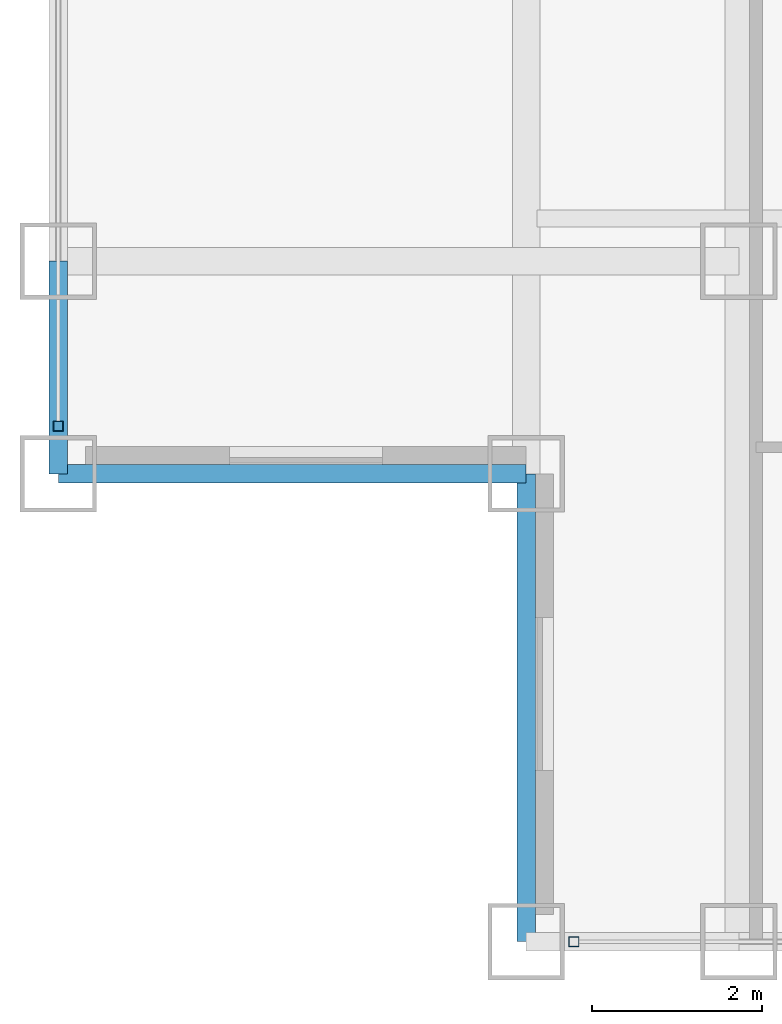
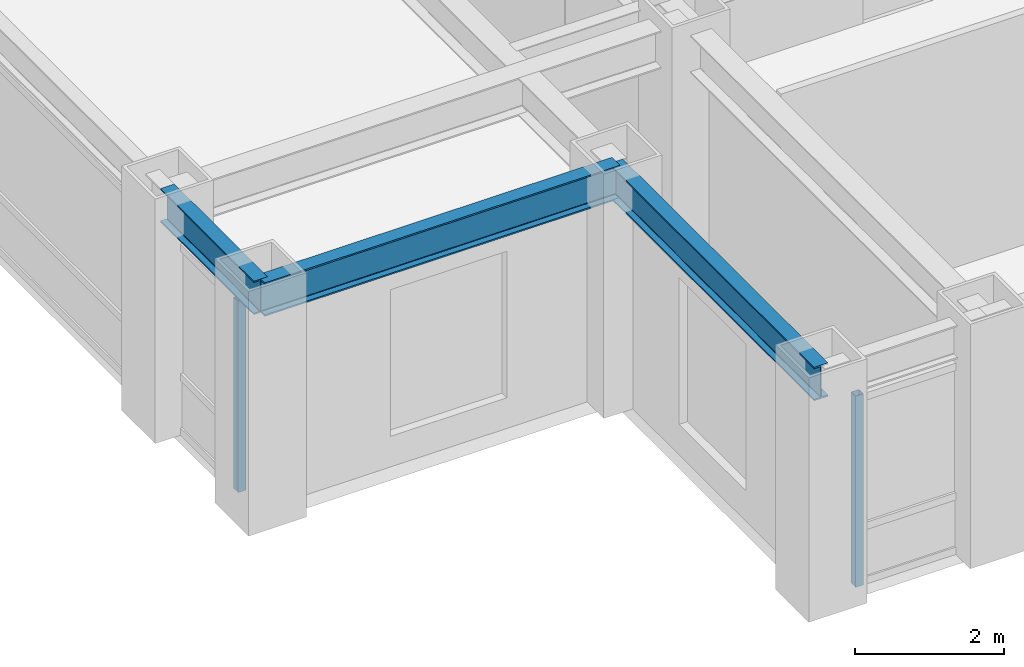
# One storey, part 2 of 22: 3 beams, 2 members, 2 elements without a shape of their own.
"""IFC4 building model written with IfcOpenShell, lengths in metres."""

import ifcopenshell
import ifcopenshell.guid

model = None  # the IFC model being written
_history = None  # IfcOwnerHistory: only IFC2X3 demands one
_inside = {}  # id of a spatial element -> (the spatial element, [elements in it])
_under = {}  # id of a project, library or spatial element -> (it, [spatial elements below it])
_declared = {}  # id of a project -> (the project, [libraries it declares])
_typed = {}  # id of a type object -> (the type object, [elements of that type])
_made_of = {}  # id of a material, layer set ... -> (it, [elements and type objects made of it])


def new_model(schema):
    """Start an empty IFC model of exactly this schema.

    Asked for "IFC4X3", IfcOpenShell would pick the latest addendum, in which some entities
    have other attributes; the version numbers below select the first issue.
    IFC2X3 requires an IfcOwnerHistory on every rooted entity: one is made here for all.
    """
    global model, _history
    if schema == "IFC4X3":
        model = ifcopenshell.file(schema_version=(4, 3, 0, 0))
    else:
        model = ifcopenshell.file(schema=schema)
    _inside.clear()
    _under.clear()
    _declared.clear()
    _typed.clear()
    _made_of.clear()
    _history = None
    if model.schema == "IFC2X3":
        org = make("IfcOrganization", Name="unknown")
        user = make(
            "IfcPersonAndOrganization",
            ThePerson=make("IfcPerson", FamilyName="unknown"),
            TheOrganization=org,
        )
        app = make(
            "IfcApplication",
            ApplicationDeveloper=org,
            Version="unknown",
            ApplicationFullName="unknown",
            ApplicationIdentifier="unknown",
        )
        _history = make(
            "IfcOwnerHistory",
            OwningUser=user,
            OwningApplication=app,
            ChangeAction="ADDED",
            CreationDate=0,
        )
    return model


def make(cls, **values):
    """One entity of the class cls with the attributes given. An attribute that is None is left unset."""
    return model.create_entity(
        cls, **{name: value for name, value in values.items() if value is not None}
    )


def rooted(cls, **values):
    """An entity with a GlobalId (a new one), such as an element, a storey or a relation."""
    return make(cls, GlobalId=ifcopenshell.guid.new(), OwnerHistory=_history, **values)


def si_unit(unit_type, name, prefix=None):
    """IfcSIUnit, for example si_unit("LENGTHUNIT", "METRE", prefix="MILLI")."""
    return make("IfcSIUnit", UnitType=unit_type, Prefix=prefix, Name=name)


def assignment(units):
    """IfcUnitAssignment: the units of a project."""
    return None if units is None else make("IfcUnitAssignment", Units=units)


def point(xyz):
    """IfcCartesianPoint."""
    return None if xyz is None else make("IfcCartesianPoint", Coordinates=xyz)


def direction(xyz):
    """IfcDirection."""
    return None if xyz is None else make("IfcDirection", DirectionRatios=xyz)


def frame(location, z_axis=None, x_axis=None):
    """IfcAxis2Placement3D, a coordinate frame: its origin and axes. An axis left out is left unset."""
    return make(
        "IfcAxis2Placement3D",
        Location=point(location),
        Axis=direction(z_axis),
        RefDirection=direction(x_axis),
    )


def frame_2d(location, x_axis=None):
    """IfcAxis2Placement2D, a coordinate frame in the plane: its origin and x axis."""
    return make(
        "IfcAxis2Placement2D", Location=point(location), RefDirection=direction(x_axis)
    )


def origin():
    """The frame at (0, 0, 0) with its axes left unset."""
    return frame((0.0, 0.0, 0.0))


def origin_2d():
    """The frame at (0, 0) in the plane with its x axis left unset."""
    return frame_2d((0.0, 0.0))


def place(relative_to, where):
    """IfcLocalPlacement: puts the frame where relative to a parent placement (None: the world)."""
    return make(
        "IfcLocalPlacement", PlacementRelTo=relative_to, RelativePlacement=where
    )


def context(
    kind, dimensions, precision=None, world=None, true_north=None, identifier=None
):
    """IfcGeometricRepresentationContext, for example the 3D "Model" context."""
    return make(
        "IfcGeometricRepresentationContext",
        ContextIdentifier=identifier,
        ContextType=kind,
        CoordinateSpaceDimension=dimensions,
        Precision=precision,
        WorldCoordinateSystem=world,
        TrueNorth=true_north,
    )


def subcontext(parent, identifier, kind, view, scale=None):
    """IfcGeometricRepresentationSubContext, for example "Body" below "Model"."""
    return make(
        "IfcGeometricRepresentationSubContext",
        ContextIdentifier=identifier,
        ContextType=kind,
        ParentContext=parent,
        TargetScale=scale,
        TargetView=view,
    )


def project(units=None, contexts=None):
    """IfcProject with its units and contexts."""
    return rooted(
        "IfcProject",
        Name="project",
        RepresentationContexts=contexts,
        UnitsInContext=assignment(units),
    )


def spatial(cls, under=None, at=None, **own):
    """A site, building, storey or space (cls), placed at a placement, below another one or the project."""
    s = rooted(cls, ObjectPlacement=at, **own)
    if under is not None:
        _under.setdefault(under.id(), (under, []))[1].append(s)
    return s


def profile(cls, at=None, kind="AREA", **sizes):
    """A parametric profile (cls). Its sizes go by their IFC names, for example OverallWidth=200.0."""
    return make(cls, ProfileType=kind, Position=at, **sizes)


def hollow_rectangle(**sizes):
    """IfcRectangleHollowProfileDef."""
    return profile("IfcRectangleHollowProfileDef", **sizes)


def i_section(**sizes):
    """IfcIShapeProfileDef."""
    return profile("IfcIShapeProfileDef", **sizes)


def extrude(swept, where, along, depth):
    """IfcExtrudedAreaSolid: the profile swept, set in the frame where, extruded along a direction by depth."""
    return make(
        "IfcExtrudedAreaSolid",
        SweptArea=swept,
        Position=where,
        ExtrudedDirection=direction(along),
        Depth=depth,
    )


def shape(context_of_items, identifier, shape_type, items):
    """IfcShapeRepresentation: the items that make up one representation, for example the "Body"."""
    return make(
        "IfcShapeRepresentation",
        ContextOfItems=context_of_items,
        RepresentationIdentifier=identifier,
        RepresentationType=shape_type,
        Items=items,
    )


def source(mapping_origin, context_of_items, identifier, shape_type, items):
    """IfcRepresentationMap: a shape defined once, which mapped items show again and again."""
    return make(
        "IfcRepresentationMap",
        MappingOrigin=mapping_origin,
        MappedRepresentation=shape(context_of_items, identifier, shape_type, items),
    )


def transform(
    local_origin,
    x_axis=None,
    y_axis=None,
    z_axis=None,
    scale=None,
    scale2=None,
    scale3=None,
    uniform=True,
):
    """IfcCartesianTransformationOperator3D, or its non-uniform kind. x_axis, y_axis, z_axis: its Axis1, 2, 3."""
    if uniform:
        return make(
            "IfcCartesianTransformationOperator3D",
            Axis1=direction(x_axis),
            Axis2=direction(y_axis),
            LocalOrigin=point(local_origin),
            Scale=scale,
            Axis3=direction(z_axis),
        )
    return make(
        "IfcCartesianTransformationOperator3DnonUniform",
        Axis1=direction(x_axis),
        Axis2=direction(y_axis),
        LocalOrigin=point(local_origin),
        Scale=scale,
        Axis3=direction(z_axis),
        Scale2=scale2,
        Scale3=scale3,
    )


def mapped(mapping_source, mapping_target):
    """IfcMappedItem: shows the shape of a source again, moved by a transform."""
    return make(
        "IfcMappedItem", MappingSource=mapping_source, MappingTarget=mapping_target
    )


def material(Name=None, Category=None):
    """IfcMaterial."""
    return make("IfcMaterial", Name=Name, Category=Category)


def material_profile(
    of_material, cross_section, Name=None, Category=None, Priority=None
):
    """IfcMaterialProfile: a cross section and its material."""
    return make(
        "IfcMaterialProfile",
        Name=Name,
        Material=of_material,
        Profile=cross_section,
        Priority=Priority,
        Category=Category,
    )


def profile_set(profiles, Name=None, composite=None):
    """IfcMaterialProfileSet."""
    return make(
        "IfcMaterialProfileSet",
        Name=Name,
        MaterialProfiles=profiles,
        CompositeProfile=composite,
    )


def made_of(thing, what):
    """Note that an element or type object is made of a material, layer set ...; save() writes the relation."""
    if what is not None:
        _made_of.setdefault(what.id(), (what, []))[1].append(thing)
    return thing


def type_object(cls, material=None, **own):
    """A type object (cls), such as IfcWallType, which elements share."""
    return made_of(rooted(cls, **own), material)


def element(
    cls,
    number,
    at=None,
    inside=None,
    cuts=None,
    type_object=None,
    material=None,
    context=None,
    identifier="Body",
    shape_type=None,
    held_by="IfcProductDefinitionShape",
    body=None,
    shapes=None,
    **own,
):
    """One element of the class cls, such as IfcWall. Its Tag is "e" and its number.

    at: its placement. inside: the storey or other place that contains it. cuts: it is an
    opening in that element (IfcRelVoidsElement). A single representation is given by context,
    identifier, shape_type and body (its items); several are given by shapes. held_by: the class
    of the entity that holds the representations. save() writes the other relations.
    """
    e = rooted(cls, Tag="e%d" % number, ObjectPlacement=at, **own)
    if body is not None:
        shapes = [shape(context, identifier, shape_type, body)]
    if shapes is not None:
        e.Representation = make(held_by, Representations=shapes)
    if inside is not None:
        _inside.setdefault(inside.id(), (inside, []))[1].append(e)
    if cuts is not None:
        rooted(
            "IfcRelVoidsElement", RelatingBuildingElement=cuts, RelatedOpeningElement=e
        )
    if type_object is not None:
        _typed.setdefault(type_object.id(), (type_object, []))[1].append(e)
    return made_of(e, material)


def aggregate(whole, parts):
    """IfcRelAggregates: a whole, such as a stair, and the parts it consists of."""
    return rooted("IfcRelAggregates", RelatingObject=whole, RelatedObjects=parts)


def save(model, path):
    """Write the relations noted so far, then the file.

    IfcRelAggregates (storeys below a building ...), IfcRelContainedInSpatialStructure (elements
    in a storey), IfcRelDefinesByType, IfcRelAssociatesMaterial and IfcRelDeclares: one each for
    every whole, place, type object, material and project.
    """
    for whole, parts in _under.values():
        aggregate(whole, parts)
    for where, things in _inside.values():
        rooted(
            "IfcRelContainedInSpatialStructure",
            RelatedElements=things,
            RelatingStructure=where,
        )
    for kind, things in _typed.values():
        rooted("IfcRelDefinesByType", RelatedObjects=things, RelatingType=kind)
    for what, things in _made_of.values():
        rooted("IfcRelAssociatesMaterial", RelatedObjects=things, RelatingMaterial=what)
    for by, libraries in _declared.values():
        rooted("IfcRelDeclares", RelatingContext=by, RelatedDefinitions=libraries)
    model.write(path)


model = new_model("IFC4")

# Units and contexts
model_context = context("Model", 3, precision=1e-05, world=origin(), true_north=direction((0.0, 1.0)))
body_context = subcontext(model_context, "Body", "Model", "MODEL_VIEW")
ifc_project = project(units=[si_unit("LENGTHUNIT", "METRE"), si_unit("AREAUNIT", "SQUARE_METRE"), si_unit("VOLUMEUNIT", "CUBIC_METRE"), si_unit("PLANEANGLEUNIT", "RADIAN"), si_unit("MASSUNIT", "GRAM", prefix="KILO")], contexts=[model_context])

# Site, building, storey
site_placement = place(None, origin())
site = spatial("IfcSite", under=ifc_project, at=site_placement, CompositionType="ELEMENT")
building_placement = place(site_placement, origin())
building = spatial("IfcBuilding", under=site, at=building_placement, Name="Khorayat Bourse Tower", CompositionType="ELEMENT")
storey_placement = place(building_placement, frame((0.0, 0.0, 297.5)))
storey = spatial("IfcBuildingStorey", under=building, at=storey_placement, Name="L70", CompositionType="ELEMENT", Elevation=297.5)

# Beams
ifc_material_1 = material(Name="Steel ASTM A992 Grade 50", Category="steel")
ifc_material_profile_1 = material_profile(ifc_material_1, i_section(OverallWidth=0.214111328125, OverallDepth=0.549072265625, WebThickness=0.0146484375, FlangeThickness=0.023681640625, FilletRadius=0.013916015625, at=origin_2d()), Name="W530X138")
ifc_profile_set_1 = profile_set([ifc_material_profile_1], Name="Steel ASTM A992 Grade 50")
beam_type = type_object("IfcBeamType", Name="BM-SPAN-530", PredefinedType="SPANDREL", material=ifc_profile_set_1)
shared_shape_1 = source(origin(), body_context, "Body", "SweptSolid", [
    extrude(i_section(OverallWidth=0.214111328125, OverallDepth=0.549072265625, WebThickness=0.0146484375, FlangeThickness=0.023681640625, FilletRadius=0.013916015625, at=origin_2d()), origin(), (0.0, 0.0, 1.0), 2.5),
])
beam_placement = place(storey_placement, frame((-28.0, -22.5, 3.505615234375), z_axis=(0.0, 1.0, 0.0), x_axis=(-1.0, 0.0, 0.0)))
element("IfcBeam", 1, at=beam_placement, inside=storey, type_object=beam_type, Name="L70 BM-SPAN-530 BM-L70-SPN-061", PredefinedType="SPANDREL", context=body_context, shape_type="MappedRepresentation", body=[
    mapped(shared_shape_1, transform((0.0, 0.0, 0.0), scale=1.0)),
])
shared_shape_2 = source(origin(), body_context, "Body", "SweptSolid", [
    extrude(i_section(OverallWidth=0.214111328125, OverallDepth=0.549072265625, WebThickness=0.0146484375, FlangeThickness=0.023681640625, FilletRadius=0.013916015625, at=origin_2d()), origin(), (0.0, 0.0, 1.0), 5.5),
])
for number, where, z_axis, x_axis, name in (
    (2, (-28.0, -22.5, 3.505615234375), (1.0, 0.0, 0.0), (0.0, 1.0, 0.0), "L70 BM-SPAN-530 BM-L70-SPN-062"),
    (3, (-22.5, -28.0, 3.505615234375), (0.0, 1.0, 0.0), (-1.0, 0.0, 0.0), "L70 BM-SPAN-530 BM-L70-SPN-063"),
):
    element("IfcBeam", number, at=place(storey_placement, frame(where, z_axis=z_axis, x_axis=x_axis)), inside=storey, type_object=beam_type, Name=name, PredefinedType="SPANDREL", context=body_context, shape_type="MappedRepresentation", body=[
        mapped(shared_shape_2, transform((0.0, 0.0, 0.0), scale=1.0)),
    ])

# Curtain wall, member
ifc_material_2 = material(Name="Aluminium EN AW-6063 T6", Category="aluminium")
curtain_wall_type = type_object("IfcCurtainWallType", Name="CW-SYS-04", PredefinedType="NOTDEFINED", material=ifc_material_2)
curtain_wall_1_placement = place(storey_placement, origin())
curtain_wall_1 = element("IfcCurtainWall", 4, at=curtain_wall_1_placement, inside=storey, type_object=curtain_wall_type, Name="L70 Curtain Wall CW-L70-S1", PredefinedType="NOTDEFINED")
ifc_material_profile_2 = material_profile(ifc_material_2, hollow_rectangle(XDim=0.1201171875, YDim=0.1201171875, WallThickness=0.0048828125, at=origin_2d()), Name="ALU 120x120x5")
ifc_profile_set_2 = profile_set([ifc_material_profile_2], Name="Aluminium EN AW-6063 T6")
member_type = type_object("IfcMemberType", Name="CWM-VERT-120", PredefinedType="MULLION", material=ifc_profile_set_2)
shared_shape_3 = source(origin(), body_context, "Body", "SweptSolid", [
    extrude(hollow_rectangle(XDim=0.1201171875, YDim=0.1201171875, WallThickness=0.0048828125, at=origin_2d()), origin(), (0.0, 0.0, 1.0), 3.1298828125),
])
member_1_placement = place(storey_placement, frame((-21.93994140625, -28.0, 0.0), z_axis=(0.0, 0.0, 1.0), x_axis=(0.0, 1.0, 0.0)))
member_1 = element("IfcMember", 5, at=member_1_placement, type_object=member_type, Name="CW-L70-S1 Vertical Mullion 1", PredefinedType="MULLION", context=body_context, shape_type="MappedRepresentation", body=[
    mapped(shared_shape_3, transform((0.0, 0.0, 0.0), scale=1.0)),
])
aggregate(curtain_wall_1, [member_1])

curtain_wall_2_placement = place(storey_placement, origin())
curtain_wall_2 = element("IfcCurtainWall", 6, at=curtain_wall_2_placement, inside=storey, type_object=curtain_wall_type, Name="L70 Curtain Wall CW-L70-W1", PredefinedType="NOTDEFINED")
member_2_placement = place(storey_placement, frame((-28.0, -21.93994140625, 0.0), z_axis=(0.0, 0.0, 1.0), x_axis=(-1.0, 0.0, 0.0)))
member_2 = element("IfcMember", 7, at=member_2_placement, type_object=member_type, Name="CW-L70-W1 Vertical Mullion 1", PredefinedType="MULLION", context=body_context, shape_type="MappedRepresentation", body=[
    mapped(shared_shape_3, transform((0.0, 0.0, 0.0), scale=1.0)),
])
aggregate(curtain_wall_2, [member_2])

save(model, "model.ifc")
